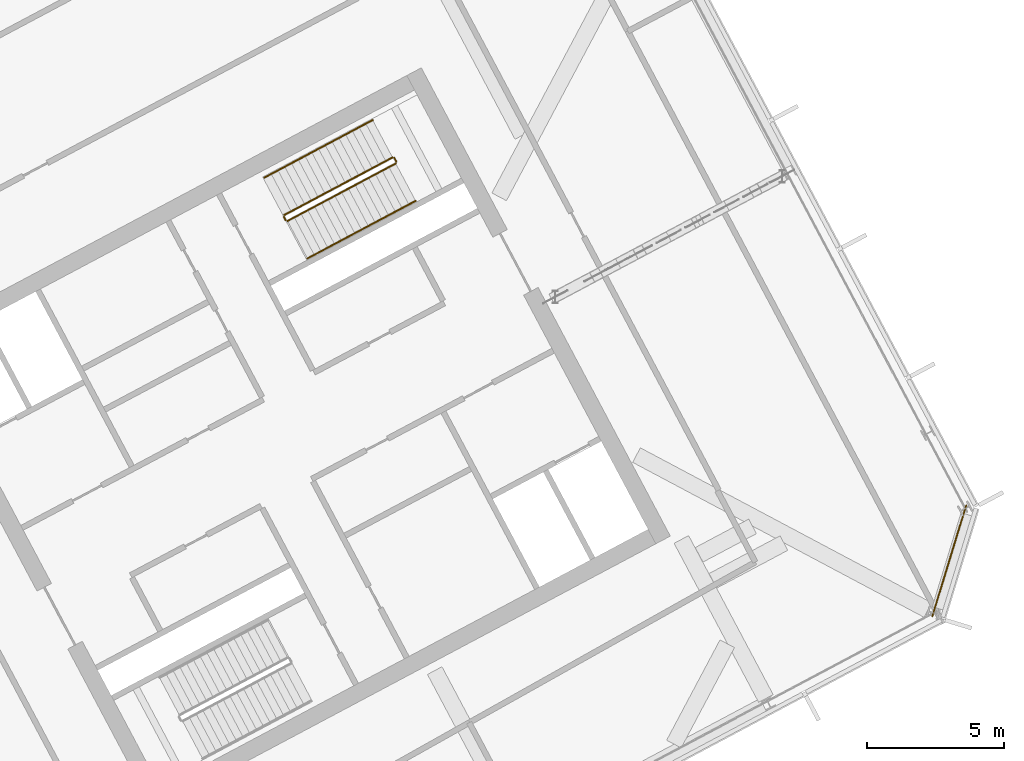
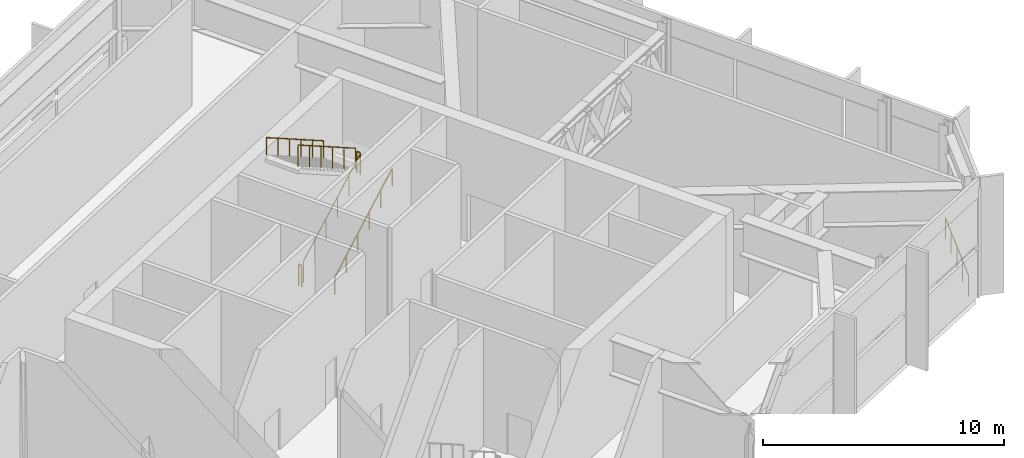
# One storey, part 31 of 33: 7 railings.
"""IFC4 building model written with IfcOpenShell, lengths in metres."""

from ifc_helpers import new_model, si_unit, direction, frame, origin, place, context, subcontext, project, spatial, polyline, outline, extrude, material, type_object, element, save


model = new_model("IFC4")

# Units and contexts
model_context = context("Model", 3, precision=1e-05, world=origin(), true_north=direction((0.0, 1.0)))
body_context = subcontext(model_context, "Body", "Model", "MODEL_VIEW")
ifc_project = project(units=[si_unit("LENGTHUNIT", "METRE"), si_unit("AREAUNIT", "SQUARE_METRE"), si_unit("VOLUMEUNIT", "CUBIC_METRE"), si_unit("PLANEANGLEUNIT", "RADIAN"), si_unit("MASSUNIT", "GRAM", prefix="KILO")], contexts=[model_context])

# Site, building, storey
site_placement = place(None, origin())
site = spatial("IfcSite", under=ifc_project, at=site_placement, CompositionType="ELEMENT")
building_placement = place(site_placement, origin())
building = spatial("IfcBuilding", under=site, at=building_placement, Name="Cormorant Relay Tower", CompositionType="ELEMENT")
storey_placement = place(building_placement, frame((0.0, 0.0, 252.0)))
storey = spatial("IfcBuildingStorey", under=building, at=storey_placement, Name="L56", CompositionType="ELEMENT", Elevation=252.0)

# Railings
ifc_material_1 = material(Name="Stainless steel 316 guard", Category="steel")
railing_type_1 = type_object("IfcRailingType", Name="Band louvre guard 1100", PredefinedType="GUARDRAIL", material=ifc_material_1)
railing_1_placement = place(storey_placement, frame((47.4267578125, 6.203857421875, 0.0)))
element("IfcRailing", 1, at=railing_1_placement, inside=storey, type_object=railing_type_1, Name="CW4 guard 5", PredefinedType="GUARDRAIL", context=body_context, shape_type="SweptSolid", body=[
    extrude(outline(polyline([(0.022216796875, 0.00927734375), (0.00927734375, 0.022216796875), (-0.00927734375, 0.022216796875), (-0.022216796875, 0.00927734375), (-0.022216796875, -0.00927734375), (-0.00927734375, -0.022216796875), (0.00927734375, -0.022216796875), (0.022216796875, -0.00927734375), (0.022216796875, 0.00927734375)])), frame((0.0, 0.0, 1.076171875), z_axis=(0.292391046905, 0.95629884225, 0.0), x_axis=(-0.95629884225, 0.292391046905, 0.0)), (0.0, 0.0, 1.0), 4.242431640625),
    extrude(outline(polyline([(0.019287109375, 0.008056640625), (0.008056640625, 0.019287109375), (-0.008056640625, 0.019287109375), (-0.019287109375, 0.008056640625), (-0.019287109375, -0.008056640625), (-0.008056640625, -0.019287109375), (0.008056640625, -0.019287109375), (0.019287109375, -0.008056640625), (0.019287109375, 0.008056640625)])), origin(), (0.0, 0.0, 1.0), 1.052001953125),
    extrude(outline(polyline([(0.019287109375, 0.008056640625), (0.008056640625, 0.019287109375), (-0.008056640625, 0.019287109375), (-0.019287109375, 0.008056640625), (-0.019287109375, -0.008056640625), (-0.008056640625, -0.019287109375), (0.008056640625, -0.019287109375), (0.019287109375, -0.008056640625), (0.019287109375, 0.008056640625)])), frame((0.31005859375, 1.01416015625, 0.0)), (0.0, 0.0, 1.0), 1.052001953125),
    extrude(outline(polyline([(0.019287109375, 0.008056640625), (0.008056640625, 0.019287109375), (-0.008056640625, 0.019287109375), (-0.019287109375, 0.008056640625), (-0.019287109375, -0.008056640625), (-0.008056640625, -0.019287109375), (0.008056640625, -0.019287109375), (0.019287109375, -0.008056640625), (0.019287109375, 0.008056640625)])), frame((0.6201171875, 2.028564453125, 0.0)), (0.0, 0.0, 1.0), 1.052001953125),
    extrude(outline(polyline([(0.019287109375, 0.008056640625), (0.008056640625, 0.019287109375), (-0.008056640625, 0.019287109375), (-0.019287109375, 0.008056640625), (-0.019287109375, -0.008056640625), (-0.008056640625, -0.019287109375), (0.008056640625, -0.019287109375), (0.019287109375, -0.008056640625), (0.019287109375, 0.008056640625)])), frame((0.930419921875, 3.04296875, 0.0)), (0.0, 0.0, 1.0), 1.052001953125),
    extrude(outline(polyline([(0.019287109375, 0.008056640625), (0.008056640625, 0.019287109375), (-0.008056640625, 0.019287109375), (-0.019287109375, 0.008056640625), (-0.019287109375, -0.008056640625), (-0.008056640625, -0.019287109375), (0.008056640625, -0.019287109375), (0.019287109375, -0.008056640625), (0.019287109375, 0.008056640625)])), frame((1.240478515625, 4.05712890625, 0.0)), (0.0, 0.0, 1.0), 1.052001953125),
])
ifc_material_2 = material(Name="Steel ASTM A572 Grade 50 (Fy 345 MPa)", Category="steel")
railing_type_2 = type_object("IfcRailingType", Name="Stair guard 1100", PredefinedType="GUARDRAIL", material=ifc_material_2)
railing_2_placement = place(storey_placement, frame((23.8408203125, 20.6611328125, 0.176513671875)))
element("IfcRailing", 2, at=railing_2_placement, inside=storey, type_object=railing_type_2, Name="L56 B2 stair guard 1", PredefinedType="GUARDRAIL", context=body_context, shape_type="SweptSolid", body=[
    extrude(outline(polyline([(0.022216796875, 0.00927734375), (0.00927734375, 0.022216796875), (-0.00927734375, 0.022216796875), (-0.022216796875, 0.00927734375), (-0.022216796875, -0.00927734375), (-0.00927734375, -0.022216796875), (0.00927734375, -0.022216796875), (0.022216796875, -0.00927734375), (0.022216796875, 0.00927734375)])), frame((0.0, 0.0, 1.076171875), z_axis=(0.746981028628, 0.397141993618, 0.533195629928), x_axis=(-0.469439434157, 0.882964675204, 0.0)), (0.0, 0.0, 1.0), 5.29541015625),
    extrude(outline(polyline([(0.019287109375, 0.008056640625), (0.008056640625, 0.019287109375), (-0.008056640625, 0.019287109375), (-0.019287109375, 0.008056640625), (-0.019287109375, -0.008056640625), (-0.008056640625, -0.019287109375), (0.008056640625, -0.019287109375), (0.019287109375, -0.008056640625), (0.019287109375, 0.008056640625)])), origin(), (0.0, 0.0, 1.0), 1.052001953125),
    extrude(outline(polyline([(0.019287109375, 0.008056640625), (0.008056640625, 0.019287109375), (-0.008056640625, 0.019287109375), (-0.019287109375, 0.008056640625), (-0.019287109375, -0.008056640625), (-0.008056640625, -0.019287109375), (0.008056640625, -0.019287109375), (0.019287109375, -0.008056640625), (0.019287109375, 0.008056640625)])), frame((0.791015625, 0.420654296875, 0.564697265625)), (0.0, 0.0, 1.0), 1.052001953125),
    extrude(outline(polyline([(0.019287109375, 0.008056640625), (0.008056640625, 0.019287109375), (-0.008056640625, 0.019287109375), (-0.019287109375, 0.008056640625), (-0.019287109375, -0.008056640625), (-0.008056640625, -0.019287109375), (0.008056640625, -0.019287109375), (0.019287109375, -0.008056640625), (0.019287109375, 0.008056640625)])), frame((1.582275390625, 0.84130859375, 1.12939453125)), (0.0, 0.0, 1.0), 1.052001953125),
    extrude(outline(polyline([(0.019287109375, 0.008056640625), (0.008056640625, 0.019287109375), (-0.008056640625, 0.019287109375), (-0.019287109375, 0.008056640625), (-0.019287109375, -0.008056640625), (-0.008056640625, -0.019287109375), (0.008056640625, -0.019287109375), (0.019287109375, -0.008056640625), (0.019287109375, 0.008056640625)])), frame((2.373291015625, 1.26171875, 1.694091796875)), (0.0, 0.0, 1.0), 1.052001953125),
    extrude(outline(polyline([(0.019287109375, 0.008056640625), (0.008056640625, 0.019287109375), (-0.008056640625, 0.019287109375), (-0.019287109375, 0.008056640625), (-0.019287109375, -0.008056640625), (-0.008056640625, -0.019287109375), (0.008056640625, -0.019287109375), (0.019287109375, -0.008056640625), (0.019287109375, 0.008056640625)])), frame((3.16455078125, 1.682373046875, 2.2587890625)), (0.0, 0.0, 1.0), 1.052001953125),
    extrude(outline(polyline([(0.019287109375, 0.008056640625), (0.008056640625, 0.019287109375), (-0.008056640625, 0.019287109375), (-0.019287109375, 0.008056640625), (-0.019287109375, -0.008056640625), (-0.008056640625, -0.019287109375), (0.008056640625, -0.019287109375), (0.019287109375, -0.008056640625), (0.019287109375, 0.008056640625)])), frame((3.95556640625, 2.10302734375, 2.823486328125)), (0.0, 0.0, 1.0), 1.052001953125),
])
railing_3_placement = place(storey_placement, frame((27.817138671875, 22.831787109375, 3.0)))
element("IfcRailing", 3, at=railing_3_placement, inside=storey, type_object=railing_type_2, Name="L56 B2 stair guard 2", PredefinedType="GUARDRAIL", context=body_context, shape_type="SweptSolid", body=[
    extrude(outline(polyline([(0.022216796875, 0.00927734375), (0.00927734375, 0.022216796875), (-0.00927734375, 0.022216796875), (-0.022216796875, 0.00927734375), (-0.022216796875, -0.00927734375), (-0.00927734375, -0.022216796875), (0.00927734375, -0.022216796875), (0.022216796875, -0.00927734375), (0.022216796875, 0.00927734375)])), frame((0.0, 0.0, 1.076171875), z_axis=(-0.46856034887, 0.8834314911, 0.0), x_axis=(-0.8834314911, -0.46856034887, 0.0)), (0.0, 0.0, 1.0), 0.150146484375),
    extrude(outline(polyline([(0.019287109375, 0.008056640625), (0.008056640625, 0.019287109375), (-0.008056640625, 0.019287109375), (-0.019287109375, 0.008056640625), (-0.019287109375, -0.008056640625), (-0.008056640625, -0.019287109375), (0.008056640625, -0.019287109375), (0.019287109375, -0.008056640625), (0.019287109375, 0.008056640625)])), origin(), (0.0, 0.0, 1.0), 1.052001953125),
    extrude(outline(polyline([(0.019287109375, 0.008056640625), (0.008056640625, 0.019287109375), (-0.008056640625, 0.019287109375), (-0.019287109375, 0.008056640625), (-0.019287109375, -0.008056640625), (-0.008056640625, -0.019287109375), (0.008056640625, -0.019287109375), (0.019287109375, -0.008056640625), (0.019287109375, 0.008056640625)])), frame((-0.0703125, 0.132568359375, 0.0)), (0.0, 0.0, 1.0), 1.052001953125),
])
railing_4_placement = place(storey_placement, frame((27.67919921875, 22.985107421875, 3.176513671875)))
element("IfcRailing", 4, at=railing_4_placement, inside=storey, type_object=railing_type_2, Name="L56 B2 stair guard 3", PredefinedType="GUARDRAIL", context=body_context, shape_type="SweptSolid", body=[
    extrude(outline(polyline([(0.022216796875, 0.00927734375), (0.00927734375, 0.022216796875), (-0.00927734375, 0.022216796875), (-0.022216796875, 0.00927734375), (-0.022216796875, -0.00927734375), (-0.00927734375, -0.022216796875), (0.00927734375, -0.022216796875), (0.022216796875, -0.00927734375), (0.022216796875, 0.00927734375)])), frame((0.0, 0.0, 1.076171875), z_axis=(-0.746987729523, -0.397167147432, 0.53316750552), x_axis=(0.469459331058, -0.882954096475, 0.0)), (0.0, 0.0, 1.0), 5.295654296875),
    extrude(outline(polyline([(0.019287109375, 0.008056640625), (0.008056640625, 0.019287109375), (-0.008056640625, 0.019287109375), (-0.019287109375, 0.008056640625), (-0.019287109375, -0.008056640625), (-0.008056640625, -0.019287109375), (0.008056640625, -0.019287109375), (0.019287109375, -0.008056640625), (0.019287109375, 0.008056640625)])), origin(), (0.0, 0.0, 1.0), 1.052001953125),
    extrude(outline(polyline([(0.019287109375, 0.008056640625), (0.008056640625, 0.019287109375), (-0.008056640625, 0.019287109375), (-0.019287109375, 0.008056640625), (-0.019287109375, -0.008056640625), (-0.008056640625, -0.019287109375), (0.008056640625, -0.019287109375), (0.019287109375, -0.008056640625), (0.019287109375, 0.008056640625)])), frame((-0.791259765625, -0.420654296875, 0.564697265625)), (0.0, 0.0, 1.0), 1.052001953125),
    extrude(outline(polyline([(0.019287109375, 0.008056640625), (0.008056640625, 0.019287109375), (-0.008056640625, 0.019287109375), (-0.019287109375, 0.008056640625), (-0.019287109375, -0.008056640625), (-0.008056640625, -0.019287109375), (0.008056640625, -0.019287109375), (0.019287109375, -0.008056640625), (0.019287109375, 0.008056640625)])), frame((-1.582275390625, -0.84130859375, 1.12939453125)), (0.0, 0.0, 1.0), 1.052001953125),
    extrude(outline(polyline([(0.019287109375, 0.008056640625), (0.008056640625, 0.019287109375), (-0.008056640625, 0.019287109375), (-0.019287109375, 0.008056640625), (-0.019287109375, -0.008056640625), (-0.008056640625, -0.019287109375), (0.008056640625, -0.019287109375), (0.019287109375, -0.008056640625), (0.019287109375, 0.008056640625)])), frame((-2.37353515625, -1.261962890625, 1.694091796875)), (0.0, 0.0, 1.0), 1.052001953125),
    extrude(outline(polyline([(0.019287109375, 0.008056640625), (0.008056640625, 0.019287109375), (-0.008056640625, 0.019287109375), (-0.019287109375, 0.008056640625), (-0.019287109375, -0.008056640625), (-0.008056640625, -0.019287109375), (0.008056640625, -0.019287109375), (0.019287109375, -0.008056640625), (0.019287109375, 0.008056640625)])), frame((-3.16455078125, -1.6826171875, 2.2587890625)), (0.0, 0.0, 1.0), 1.052001953125),
    extrude(outline(polyline([(0.019287109375, 0.008056640625), (0.008056640625, 0.019287109375), (-0.008056640625, 0.019287109375), (-0.019287109375, 0.008056640625), (-0.019287109375, -0.008056640625), (-0.008056640625, -0.019287109375), (0.008056640625, -0.019287109375), (0.019287109375, -0.008056640625), (0.019287109375, 0.008056640625)])), frame((-3.955810546875, -2.103271484375, 2.823486328125)), (0.0, 0.0, 1.0), 1.052001953125),
])
railing_5_placement = place(storey_placement, frame((23.773193359375, 20.681640625, 0.0)))
element("IfcRailing", 5, at=railing_5_placement, inside=storey, type_object=railing_type_2, Name="L56 B2 stair guard 4", PredefinedType="GUARDRAIL", context=body_context, shape_type="SweptSolid", body=[
    extrude(outline(polyline([(0.022216796875, 0.00927734375), (0.00927734375, 0.022216796875), (-0.00927734375, 0.022216796875), (-0.022216796875, 0.00927734375), (-0.022216796875, -0.00927734375), (-0.00927734375, -0.022216796875), (0.00927734375, -0.022216796875), (0.022216796875, -0.00927734375), (0.022216796875, 0.00927734375)])), frame((0.0, 0.0, 1.076171875), z_axis=(-0.46856034887, 0.8834314911, 0.0), x_axis=(-0.8834314911, -0.46856034887, 0.0)), (0.0, 0.0, 1.0), 0.150146484375),
    extrude(outline(polyline([(0.019287109375, 0.008056640625), (0.008056640625, 0.019287109375), (-0.008056640625, 0.019287109375), (-0.019287109375, 0.008056640625), (-0.019287109375, -0.008056640625), (-0.008056640625, -0.019287109375), (0.008056640625, -0.019287109375), (0.019287109375, -0.008056640625), (0.019287109375, 0.008056640625)])), origin(), (0.0, 0.0, 1.0), 1.052001953125),
    extrude(outline(polyline([(0.019287109375, 0.008056640625), (0.008056640625, 0.019287109375), (-0.008056640625, 0.019287109375), (-0.019287109375, 0.008056640625), (-0.019287109375, -0.008056640625), (-0.008056640625, -0.019287109375), (0.008056640625, -0.019287109375), (0.019287109375, -0.008056640625), (0.019287109375, 0.008056640625)])), frame((-0.0703125, 0.132568359375, 0.0)), (0.0, 0.0, 1.0), 1.052001953125),
])
ifc_material_3 = material(Name="Steel ASTM A572 Grade 50 (Fy 345 MPa)", Category="steel")
railing_type_3 = type_object("IfcRailingType", Name="Stair handrail 900", PredefinedType="HANDRAIL", material=ifc_material_3)
railing_6_placement = place(storey_placement, frame((24.568603515625, 19.29248046875, 0.176513671875)))
element("IfcRailing", 6, at=railing_6_placement, inside=storey, type_object=railing_type_3, Name="L56 B2 stair handrail 1", PredefinedType="HANDRAIL", context=body_context, shape_type="SweptSolid", body=[
    extrude(outline(polyline([(0.022216796875, 0.00927734375), (0.00927734375, 0.022216796875), (-0.00927734375, 0.022216796875), (-0.022216796875, 0.00927734375), (-0.022216796875, -0.00927734375), (-0.00927734375, -0.022216796875), (0.00927734375, -0.022216796875), (0.022216796875, -0.00927734375), (0.022216796875, 0.00927734375)])), frame((0.0, 0.0, 0.8759765625), z_axis=(0.746967351038, 0.397180825157, 0.533185866853), x_axis=(-0.469481920044, 0.882942085729, 0.0)), (0.0, 0.0, 1.0), 5.29541015625),
    extrude(outline(polyline([(0.019287109375, 0.008056640625), (0.008056640625, 0.019287109375), (-0.008056640625, 0.019287109375), (-0.019287109375, 0.008056640625), (-0.019287109375, -0.008056640625), (-0.008056640625, -0.019287109375), (0.008056640625, -0.019287109375), (0.019287109375, -0.008056640625), (0.019287109375, 0.008056640625)])), origin(), (0.0, 0.0, 1.0), 0.851806640625),
    extrude(outline(polyline([(0.019287109375, 0.008056640625), (0.008056640625, 0.019287109375), (-0.008056640625, 0.019287109375), (-0.019287109375, 0.008056640625), (-0.019287109375, -0.008056640625), (-0.008056640625, -0.019287109375), (0.008056640625, -0.019287109375), (0.019287109375, -0.008056640625), (0.019287109375, 0.008056640625)])), frame((0.791015625, 0.420654296875, 0.564697265625)), (0.0, 0.0, 1.0), 0.851806640625),
    extrude(outline(polyline([(0.019287109375, 0.008056640625), (0.008056640625, 0.019287109375), (-0.008056640625, 0.019287109375), (-0.019287109375, 0.008056640625), (-0.019287109375, -0.008056640625), (-0.008056640625, -0.019287109375), (0.008056640625, -0.019287109375), (0.019287109375, -0.008056640625), (0.019287109375, 0.008056640625)])), frame((1.582275390625, 0.84130859375, 1.12939453125)), (0.0, 0.0, 1.0), 0.851806640625),
    extrude(outline(polyline([(0.019287109375, 0.008056640625), (0.008056640625, 0.019287109375), (-0.008056640625, 0.019287109375), (-0.019287109375, 0.008056640625), (-0.019287109375, -0.008056640625), (-0.008056640625, -0.019287109375), (0.008056640625, -0.019287109375), (0.019287109375, -0.008056640625), (0.019287109375, 0.008056640625)])), frame((2.373291015625, 1.261962890625, 1.694091796875)), (0.0, 0.0, 1.0), 0.851806640625),
    extrude(outline(polyline([(0.019287109375, 0.008056640625), (0.008056640625, 0.019287109375), (-0.008056640625, 0.019287109375), (-0.019287109375, 0.008056640625), (-0.019287109375, -0.008056640625), (-0.008056640625, -0.019287109375), (0.008056640625, -0.019287109375), (0.019287109375, -0.008056640625), (0.019287109375, 0.008056640625)])), frame((3.16455078125, 1.6826171875, 2.2587890625)), (0.0, 0.0, 1.0), 0.851806640625),
    extrude(outline(polyline([(0.019287109375, 0.008056640625), (0.008056640625, 0.019287109375), (-0.008056640625, 0.019287109375), (-0.019287109375, 0.008056640625), (-0.019287109375, -0.008056640625), (-0.008056640625, -0.019287109375), (0.008056640625, -0.019287109375), (0.019287109375, -0.008056640625), (0.019287109375, 0.008056640625)])), frame((3.95556640625, 2.103271484375, 2.823486328125)), (0.0, 0.0, 1.0), 0.851806640625),
])
railing_7_placement = place(storey_placement, frame((26.951416015625, 24.353515625, 3.176513671875)))
element("IfcRailing", 7, at=railing_7_placement, inside=storey, type_object=railing_type_3, Name="L56 B2 stair handrail 2", PredefinedType="HANDRAIL", context=body_context, shape_type="SweptSolid", body=[
    extrude(outline(polyline([(0.022216796875, 0.00927734375), (0.00927734375, 0.022216796875), (-0.00927734375, 0.022216796875), (-0.022216796875, 0.00927734375), (-0.022216796875, -0.00927734375), (-0.00927734375, -0.022216796875), (0.00927734375, -0.022216796875), (0.022216796875, -0.00927734375), (0.022216796875, 0.00927734375)])), frame((0.0, 0.0, 0.8759765625), z_axis=(-0.746967351038, -0.397180825157, 0.533185866853), x_axis=(0.469481920044, -0.882942085729, 0.0)), (0.0, 0.0, 1.0), 5.29541015625),
    extrude(outline(polyline([(0.019287109375, 0.008056640625), (0.008056640625, 0.019287109375), (-0.008056640625, 0.019287109375), (-0.019287109375, 0.008056640625), (-0.019287109375, -0.008056640625), (-0.008056640625, -0.019287109375), (0.008056640625, -0.019287109375), (0.019287109375, -0.008056640625), (0.019287109375, 0.008056640625)])), origin(), (0.0, 0.0, 1.0), 0.851806640625),
    extrude(outline(polyline([(0.019287109375, 0.008056640625), (0.008056640625, 0.019287109375), (-0.008056640625, 0.019287109375), (-0.019287109375, 0.008056640625), (-0.019287109375, -0.008056640625), (-0.008056640625, -0.019287109375), (0.008056640625, -0.019287109375), (0.019287109375, -0.008056640625), (0.019287109375, 0.008056640625)])), frame((-0.791015625, -0.420654296875, 0.564697265625)), (0.0, 0.0, 1.0), 0.851806640625),
    extrude(outline(polyline([(0.019287109375, 0.008056640625), (0.008056640625, 0.019287109375), (-0.008056640625, 0.019287109375), (-0.019287109375, 0.008056640625), (-0.019287109375, -0.008056640625), (-0.008056640625, -0.019287109375), (0.008056640625, -0.019287109375), (0.019287109375, -0.008056640625), (0.019287109375, 0.008056640625)])), frame((-1.582275390625, -0.84130859375, 1.12939453125)), (0.0, 0.0, 1.0), 0.851806640625),
    extrude(outline(polyline([(0.019287109375, 0.008056640625), (0.008056640625, 0.019287109375), (-0.008056640625, 0.019287109375), (-0.019287109375, 0.008056640625), (-0.019287109375, -0.008056640625), (-0.008056640625, -0.019287109375), (0.008056640625, -0.019287109375), (0.019287109375, -0.008056640625), (0.019287109375, 0.008056640625)])), frame((-2.373291015625, -1.261962890625, 1.694091796875)), (0.0, 0.0, 1.0), 0.851806640625),
    extrude(outline(polyline([(0.019287109375, 0.008056640625), (0.008056640625, 0.019287109375), (-0.008056640625, 0.019287109375), (-0.019287109375, 0.008056640625), (-0.019287109375, -0.008056640625), (-0.008056640625, -0.019287109375), (0.008056640625, -0.019287109375), (0.019287109375, -0.008056640625), (0.019287109375, 0.008056640625)])), frame((-3.16455078125, -1.6826171875, 2.2587890625)), (0.0, 0.0, 1.0), 0.851806640625),
    extrude(outline(polyline([(0.019287109375, 0.008056640625), (0.008056640625, 0.019287109375), (-0.008056640625, 0.019287109375), (-0.019287109375, 0.008056640625), (-0.019287109375, -0.008056640625), (-0.008056640625, -0.019287109375), (0.008056640625, -0.019287109375), (0.019287109375, -0.008056640625), (0.019287109375, 0.008056640625)])), frame((-3.95556640625, -2.103271484375, 2.823486328125)), (0.0, 0.0, 1.0), 0.851806640625),
])

save(model, "model.ifc")
